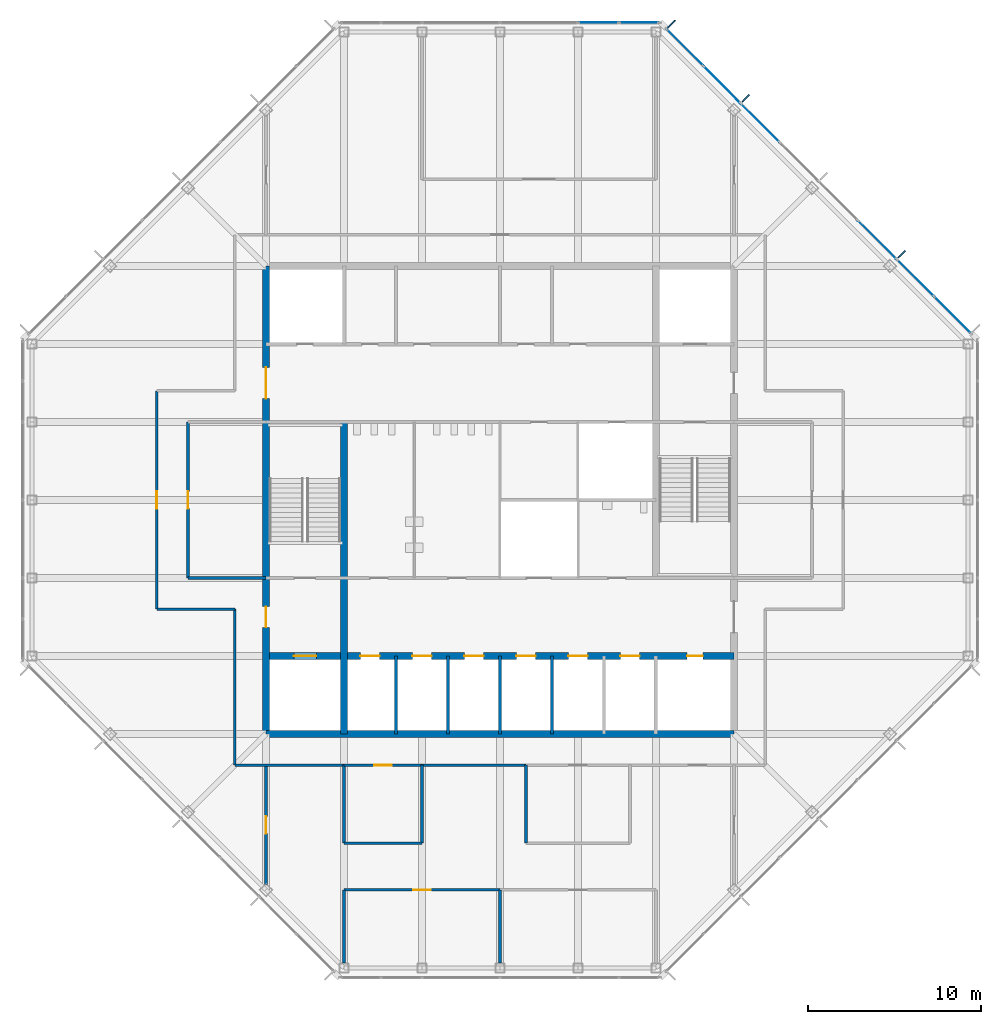
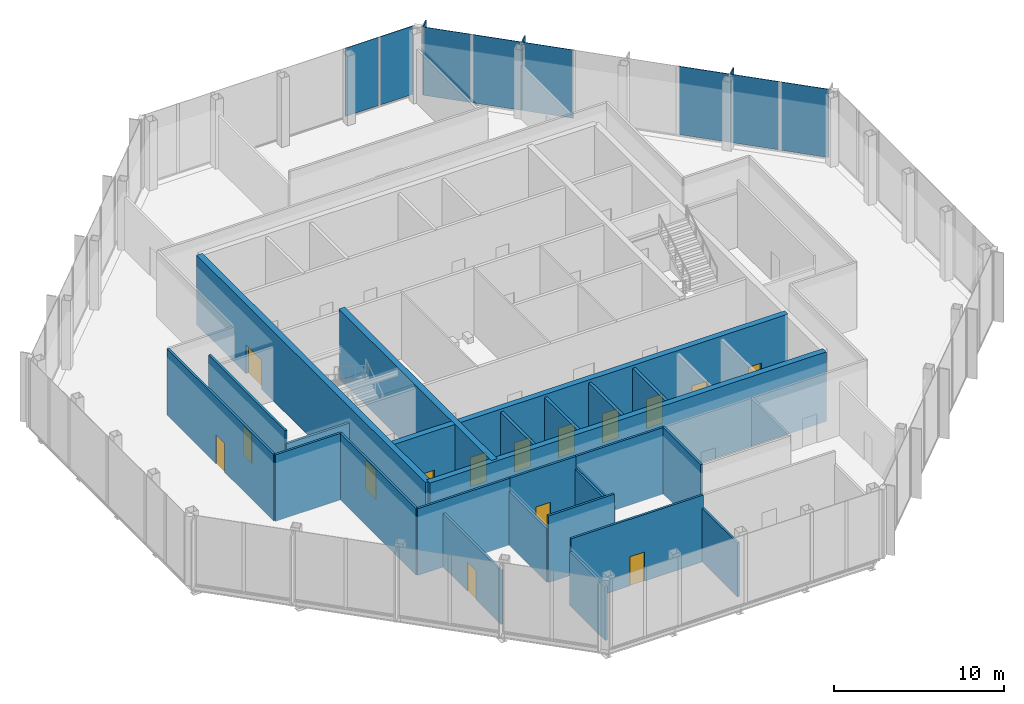
# One storey, part 7 of 11: 24 walls, 15 doors, 11 plates, 15 openings, 2 elements without a shape of their own.
"""IFC4 building model written with IfcOpenShell, lengths in metres."""

from ifc_helpers import new_model, si_unit, direction, frame, frame_2d, origin, origin_2d, place, context, subcontext, project, spatial, rectangle, extrude, material, layer, layer_set, type_object, element, fill, aggregate, save


model = new_model("IFC4")

# Units and contexts
model_context = context("Model", 3, precision=1e-05, world=origin(), true_north=direction((0.0, 1.0)))
body_context = subcontext(model_context, "Body", "Model", "MODEL_VIEW")
ifc_project = project(units=[si_unit("LENGTHUNIT", "METRE"), si_unit("AREAUNIT", "SQUARE_METRE"), si_unit("VOLUMEUNIT", "CUBIC_METRE"), si_unit("PLANEANGLEUNIT", "RADIAN"), si_unit("MASSUNIT", "GRAM", prefix="KILO")], contexts=[model_context])

# Site, building, storey
site_placement = place(None, origin())
site = spatial("IfcSite", under=ifc_project, at=site_placement, CompositionType="ELEMENT")
building_placement = place(site_placement, origin())
building = spatial("IfcBuilding", under=site, at=building_placement, Name="Corais Broadcast Tower", CompositionType="ELEMENT")
storey_placement = place(building_placement, frame((0.0, 0.0, 315.10009765625)))
storey = spatial("IfcBuildingStorey", under=building, at=storey_placement, Name="L74", CompositionType="ELEMENT", Elevation=315.10009765625)

# Curtain wall, plate
ifc_material_1 = material(Name="Aluminium and glass", Category="aluminium")
curtain_wall_type = type_object("IfcCurtainWallType", Name="Event hall curtain wall CW6", PredefinedType="NOTDEFINED", material=ifc_material_1)
curtain_wall_1_placement = place(storey_placement, origin())
curtain_wall_1 = element("IfcCurtainWall", 1, at=curtain_wall_1_placement, inside=storey, type_object=curtain_wall_type, Name="CW6 curtain wall L74 4", PredefinedType="NOTDEFINED")
ifc_material_2 = material(Name="Ceramic-fritted laminated glass", Category="glass")
ifc_layer_1 = layer(ifc_material_2, 0.033935546875)
ifc_layer_set_1 = layer_set([ifc_layer_1], Name="Ceramic-fritted laminated glass")
plate_type_1 = type_object("IfcPlateType", Name="Fritted glass panel CW6", PredefinedType="CURTAIN_PANEL", material=ifc_layer_set_1)
plate_1_placement = place(storey_placement, frame((32.681884765625, 54.550048828125, 0.079833984375), z_axis=(0.0, 0.0, 1.0), x_axis=(1.0, 0.0, 0.0)))
plate_1 = element("IfcPlate", 2, at=plate_1_placement, type_object=plate_type_1, Name="CW6 panel 5", PredefinedType="CURTAIN_PANEL", context=body_context, shape_type="SweptSolid", body=[
    extrude(rectangle(XDim=2.283935546875, YDim=0.033935546875, at=origin_2d()), origin(), (0.0, 0.0, 1.0), 4.919921875),
])

# Curtain wall, plates
curtain_wall_2_placement = place(storey_placement, origin())
curtain_wall_2 = element("IfcCurtainWall", 3, at=curtain_wall_2_placement, inside=storey, type_object=curtain_wall_type, Name="CW6 curtain wall L74 5", PredefinedType="NOTDEFINED")
plate_2_placement = place(storey_placement, frame((37.67236328125, 53.10546875, 0.079833984375), z_axis=(0.0, 0.0, 1.0), x_axis=(0.707106781187, -0.707106781187, 0.0)))
plate_2 = element("IfcPlate", 4, at=plate_2_placement, type_object=plate_type_1, Name="CW6 panel 1", PredefinedType="CURTAIN_PANEL", context=body_context, shape_type="SweptSolid", body=[
    extrude(rectangle(XDim=2.92578125, YDim=0.033935546875, at=origin_2d()), origin(), (0.0, 0.0, 1.0), 4.919921875),
])
plate_3_placement = place(storey_placement, frame((42.013916015625, 48.763916015625, 0.079833984375), z_axis=(0.0, 0.0, 1.0), x_axis=(0.707106781187, -0.707106781187, 0.0)))
plate_3 = element("IfcPlate", 5, at=plate_3_placement, type_object=plate_type_1, Name="CW6 panel 3", PredefinedType="CURTAIN_PANEL", context=body_context, shape_type="SweptSolid", body=[
    extrude(rectangle(XDim=3.10205078125, YDim=0.033935546875, at=origin_2d()), origin(), (0.0, 0.0, 1.0), 4.919921875),
])
plate_4_placement = place(storey_placement, frame((50.9658203125, 39.81201171875, 0.079833984375), z_axis=(0.0, 0.0, 1.0), x_axis=(0.707106781187, -0.707106781187, 0.0)))
plate_4 = element("IfcPlate", 6, at=plate_4_placement, type_object=plate_type_1, Name="CW6 panel 7", PredefinedType="CURTAIN_PANEL", context=body_context, shape_type="SweptSolid", body=[
    extrude(rectangle(XDim=2.9658203125, YDim=0.033935546875, at=origin_2d()), origin(), (0.0, 0.0, 1.0), 4.919921875),
])

# Plate
ifc_material_3 = material(Name="Clear laminated glass", Category="glass")
ifc_layer_2 = layer(ifc_material_3, 0.0380859375)
ifc_layer_set_2 = layer_set([ifc_layer_2], Name="Clear laminated glass")
plate_type_2 = type_object("IfcPlateType", Name="Operable glass panel CW6", PredefinedType="CURTAIN_PANEL", material=ifc_layer_set_2)
plate_5_placement = place(storey_placement, frame((35.02587890625, 54.550048828125, 0.079833984375), z_axis=(0.0, 0.0, 1.0), x_axis=(1.0, 0.0, 0.0)))
plate_5 = element("IfcPlate", 7, at=plate_5_placement, type_object=plate_type_2, Name="CW6 operable panel 6", PredefinedType="CURTAIN_PANEL", context=body_context, shape_type="SweptSolid", body=[
    extrude(rectangle(XDim=2.243896484375, YDim=0.0380859375, at=origin_2d()), origin(), (0.0, 0.0, 1.0), 4.919921875),
])

aggregate(curtain_wall_1, [plate_1, plate_5])

plate_6_placement = place(storey_placement, frame((39.81201171875, 50.9658203125, 0.079833984375), z_axis=(0.0, 0.0, 1.0), x_axis=(0.707106781187, -0.707106781187, 0.0)))
plate_6 = element("IfcPlate", 8, at=plate_6_placement, type_object=plate_type_2, Name="CW6 operable panel 2", PredefinedType="CURTAIN_PANEL", context=body_context, shape_type="SweptSolid", body=[
    extrude(rectangle(XDim=2.9658203125, YDim=0.0380859375, at=origin_2d()), origin(), (0.0, 0.0, 1.0), 4.919921875),
])

plate_7_placement = place(storey_placement, frame((48.763916015625, 42.013916015625, 0.079833984375), z_axis=(0.0, 0.0, 1.0), x_axis=(0.707106781187, -0.707106781187, 0.0)))
plate_7 = element("IfcPlate", 9, at=plate_7_placement, type_object=plate_type_2, Name="CW6 operable panel 6", PredefinedType="CURTAIN_PANEL", context=body_context, shape_type="SweptSolid", body=[
    extrude(rectangle(XDim=3.10205078125, YDim=0.0380859375, at=origin_2d()), origin(), (0.0, 0.0, 1.0), 4.919921875),
])

plate_8_placement = place(storey_placement, frame((53.10546875, 37.67236328125, 0.079833984375), z_axis=(0.0, 0.0, 1.0), x_axis=(0.707106781187, -0.707106781187, 0.0)))
plate_8 = element("IfcPlate", 10, at=plate_8_placement, type_object=plate_type_2, Name="CW6 operable panel 8", PredefinedType="CURTAIN_PANEL", context=body_context, shape_type="SweptSolid", body=[
    extrude(rectangle(XDim=2.92578125, YDim=0.0380859375, at=origin_2d()), origin(), (0.0, 0.0, 1.0), 4.919921875),
])

aggregate(curtain_wall_2, [plate_2, plate_6, plate_3, plate_7, plate_4, plate_8])

# Plates
ifc_material_4 = material(Name="Granite stone cladding", Category="masonry")
ifc_layer_3 = layer(ifc_material_4, 0.080078125)
ifc_layer_set_3 = layer_set([ifc_layer_3], Name="Granite stone cladding")
plate_type_3 = type_object("IfcPlateType", Name="Stone screen fin 80x600", PredefinedType="USERDEFINED", material=ifc_layer_set_3)
for number, where, z_axis, x_axis, name in (
    (11, (36.8974609375, 54.455810546875, 0.0), (0.0, 0.0, 1.0), (0.707106781187, -0.707106781187, 0.0), "SF1 stone screen fin L74"),
    (12, (41.1767578125, 50.1767578125, 0.0), (0.0, 0.0, 1.0), (0.707106781187, -0.707106781187, 0.0), "SF1 stone screen fin L74"),
    (13, (50.1767578125, 41.1767578125, 0.0), (0.0, 0.0, 1.0), (0.707106781187, -0.707106781187, 0.0), "SF1 stone screen fin L74"),
):
    element("IfcPlate", number, at=place(storey_placement, frame(where, z_axis=z_axis, x_axis=x_axis)), inside=storey, type_object=plate_type_3, Name=name, ObjectType="STONE SCREEN FIN", PredefinedType="USERDEFINED", context=body_context, shape_type="SweptSolid", body=[
        extrude(rectangle(XDim=0.080078125, YDim=0.60009765625, at=origin_2d()), origin(), (0.0, 0.0, 1.0), 5.0),
    ])

# Wall
ifc_material_5 = material(Name="Concrete C50/60", Category="concrete")
ifc_layer_4 = layer(ifc_material_5, 0.39990234375)
ifc_layer_set_4 = layer_set([ifc_layer_4], Name="Concrete C50/60")
wall_type_1 = type_object("IfcWallType", Name="Core wall 400", PredefinedType="SHEAR", material=ifc_layer_set_4)
wall_1_placement = place(storey_placement, frame((13.5, 13.5, 0.0), z_axis=(0.0, 0.0, 1.0), x_axis=(1.0, 0.0, 0.0)))
element("IfcWall", 14, at=wall_1_placement, inside=storey, type_object=wall_type_1, Name="CR400 core wall S L74", PredefinedType="SHEAR", context=body_context, shape_type="SweptSolid", body=[
    extrude(rectangle(XDim=27.0, YDim=0.39990234375, at=frame_2d((13.5, 0.0))), origin(), (0.0, 0.0, 1.0), 5.0),
])

# Wall, openings, doors
wall_2_placement = place(storey_placement, frame((13.5, 40.5, 0.0), z_axis=(0.0, 0.0, 1.0), x_axis=(0.0, -1.0, 0.0)))
wall_2 = element("IfcWall", 15, at=wall_2_placement, inside=storey, type_object=wall_type_1, Name="CR400 core wall W L74", PredefinedType="SHEAR", context=body_context, shape_type="SweptSolid", body=[
    extrude(rectangle(XDim=27.0, YDim=0.39990234375, at=frame_2d((13.5, 0.0))), origin(), (0.0, 0.0, 1.0), 5.0),
])
opening_1_placement = place(wall_2_placement, frame((19.64990234375, 0.0, 0.0)))
opening_1 = element("IfcOpeningElement", 16, at=opening_1_placement, cuts=wall_2, Name="Opening FD1", PredefinedType="OPENING", context=body_context, shape_type="SweptSolid", body=[
    extrude(rectangle(XDim=1.199951171875, YDim=2.10009765625, at=frame_2d((0.60009765625, 1.050048828125))), frame((0.0, 0.2099609375, 0.0), z_axis=(0.0, -1.0, 0.0), x_axis=(1.0, 0.0, 0.0)), (0.0, 0.0, 1.0), 0.419921875),
])
opening_2_placement = place(wall_2_placement, frame((5.85009765625, 0.0, 0.0)))
opening_2 = element("IfcOpeningElement", 17, at=opening_2_placement, cuts=wall_2, Name="Opening FD2", PredefinedType="OPENING", context=body_context, shape_type="SweptSolid", body=[
    extrude(rectangle(XDim=1.800048828125, YDim=2.10009765625, at=frame_2d((0.89990234375, 1.050048828125))), frame((0.0, 0.2099609375, 0.0), z_axis=(0.0, -1.0, 0.0), x_axis=(1.0, 0.0, 0.0)), (0.0, 0.0, 1.0), 0.419921875),
])
ifc_material_6 = material(Name="Steel fire door", Category="steel")
door_type_1 = type_object("IfcDoorType", Name="Fire door 1200x2100", OperationType="SINGLE_SWING_LEFT", PredefinedType="DOOR", material=ifc_material_6)
door_1_placement = place(opening_1_placement, origin())
door_1 = element("IfcDoor", 18, at=door_1_placement, inside=storey, type_object=door_type_1, Name="FD1 fire lobby A door L74", OperationType="SINGLE_SWING_RIGHT", OverallHeight=2.10009765625, OverallWidth=1.199951171875, PredefinedType="DOOR", context=body_context, shape_type="SweptSolid", body=[
    extrude(rectangle(XDim=1.199951171875, YDim=2.10009765625, at=frame_2d((0.60009765625, 1.050048828125))), frame((0.0, 0.02490234375, 0.0), z_axis=(0.0, -1.0, 0.0), x_axis=(1.0, 0.0, 0.0)), (0.0, 0.0, 1.0), 0.050048828125),
])
fill(opening_1, door_1)
ifc_material_7 = material(Name="Steel fire door", Category="steel")
door_type_2 = type_object("IfcDoorType", Name="Fire door pair 1800x2100", OperationType="DOUBLE_DOOR_SINGLE_SWING", PredefinedType="DOOR", material=ifc_material_7)
door_2_placement = place(opening_2_placement, origin())
door_2 = element("IfcDoor", 19, at=door_2_placement, inside=storey, type_object=door_type_2, Name="FD2 lift lobby door L74", OperationType="SINGLE_SWING_LEFT", OverallHeight=2.10009765625, OverallWidth=1.800048828125, PredefinedType="DOOR", context=body_context, shape_type="SweptSolid", body=[
    extrude(rectangle(XDim=1.800048828125, YDim=2.10009765625, at=frame_2d((0.89990234375, 1.050048828125))), frame((0.0, 0.02490234375, 0.0), z_axis=(0.0, -1.0, 0.0), x_axis=(1.0, 0.0, 0.0)), (0.0, 0.0, 1.0), 0.050048828125),
])
fill(opening_2, door_2)

# Wall
wall_3_placement = place(storey_placement, frame((18.0, 13.5, 0.0), z_axis=(0.0, 0.0, 1.0), x_axis=(0.0, 1.0, 0.0)))
element("IfcWall", 20, at=wall_3_placement, inside=storey, type_object=wall_type_1, Name="CR400 core wall X18A L74", PredefinedType="SHEAR", context=body_context, shape_type="SweptSolid", body=[
    extrude(rectangle(XDim=18.0, YDim=0.39990234375, at=frame_2d((9.0, 0.0))), origin(), (0.0, 0.0, 1.0), 5.0),
])

# Wall, openings, doors
wall_4_placement = place(storey_placement, frame((13.5, 18.0, 0.0), z_axis=(0.0, 0.0, 1.0), x_axis=(1.0, 0.0, 0.0)))
wall_4 = element("IfcWall", 21, at=wall_4_placement, inside=storey, type_object=wall_type_1, Name="CR400 core wall Y18 L74", PredefinedType="SHEAR", context=body_context, shape_type="SweptSolid", body=[
    extrude(rectangle(XDim=27.0, YDim=0.39990234375, at=frame_2d((13.5, 0.0))), origin(), (0.0, 0.0, 1.0), 5.0),
])
opening_3_placement = place(wall_4_placement, frame((24.300048828125, 0.0, 0.0)))
opening_3 = element("IfcOpeningElement", 22, at=opening_3_placement, cuts=wall_4, Name="Opening RD1", PredefinedType="OPENING", context=body_context, shape_type="SweptSolid", body=[
    extrude(rectangle(XDim=0.89990234375, YDim=2.10009765625, at=frame_2d((0.449951171875, 1.050048828125))), frame((0.0, 0.2099609375, 0.0), z_axis=(0.0, -1.0, 0.0), x_axis=(1.0, 0.0, 0.0)), (0.0, 0.0, 1.0), 0.419921875),
])
opening_4_placement = place(wall_4_placement, frame((5.449951171875, 0.0, 0.0)))
opening_4 = element("IfcOpeningElement", 23, at=opening_4_placement, cuts=wall_4, Name="Opening LD1", PredefinedType="OPENING", context=body_context, shape_type="SweptSolid", body=[
    extrude(rectangle(XDim=1.10009765625, YDim=2.10009765625, at=frame_2d((0.550048828125, 1.050048828125))), frame((0.0, 0.2099609375, 0.0), z_axis=(0.0, -1.0, 0.0), x_axis=(1.0, 0.0, 0.0)), (0.0, 0.0, 1.0), 0.419921875),
])
opening_5_placement = place(wall_4_placement, frame((8.449951171875, 0.0, 0.0)))
opening_5 = element("IfcOpeningElement", 24, at=opening_5_placement, cuts=wall_4, Name="Opening LD1", PredefinedType="OPENING", context=body_context, shape_type="SweptSolid", body=[
    extrude(rectangle(XDim=1.10009765625, YDim=2.10009765625, at=frame_2d((0.550048828125, 1.050048828125))), frame((0.0, 0.2099609375, 0.0), z_axis=(0.0, -1.0, 0.0), x_axis=(1.0, 0.0, 0.0)), (0.0, 0.0, 1.0), 0.419921875),
])
opening_6_placement = place(wall_4_placement, frame((11.449951171875, 0.0, 0.0)))
opening_6 = element("IfcOpeningElement", 25, at=opening_6_placement, cuts=wall_4, Name="Opening LD1", PredefinedType="OPENING", context=body_context, shape_type="SweptSolid", body=[
    extrude(rectangle(XDim=1.10009765625, YDim=2.10009765625, at=frame_2d((0.550048828125, 1.050048828125))), frame((0.0, 0.2099609375, 0.0), z_axis=(0.0, -1.0, 0.0), x_axis=(1.0, 0.0, 0.0)), (0.0, 0.0, 1.0), 0.419921875),
])
opening_7_placement = place(wall_4_placement, frame((14.449951171875, 0.0, 0.0)))
opening_7 = element("IfcOpeningElement", 26, at=opening_7_placement, cuts=wall_4, Name="Opening LD1", PredefinedType="OPENING", context=body_context, shape_type="SweptSolid", body=[
    extrude(rectangle(XDim=1.10009765625, YDim=2.10009765625, at=frame_2d((0.550048828125, 1.050048828125))), frame((0.0, 0.2099609375, 0.0), z_axis=(0.0, -1.0, 0.0), x_axis=(1.0, 0.0, 0.0)), (0.0, 0.0, 1.0), 0.419921875),
])
opening_8_placement = place(wall_4_placement, frame((17.449951171875, 0.0, 0.0)))
opening_8 = element("IfcOpeningElement", 27, at=opening_8_placement, cuts=wall_4, Name="Opening LD1", PredefinedType="OPENING", context=body_context, shape_type="SweptSolid", body=[
    extrude(rectangle(XDim=1.10009765625, YDim=2.10009765625, at=frame_2d((0.550048828125, 1.050048828125))), frame((0.0, 0.2099609375, 0.0), z_axis=(0.0, -1.0, 0.0), x_axis=(1.0, 0.0, 0.0)), (0.0, 0.0, 1.0), 0.419921875),
])
opening_9_placement = place(wall_4_placement, frame((20.449951171875, 0.0, 0.0)))
opening_9 = element("IfcOpeningElement", 28, at=opening_9_placement, cuts=wall_4, Name="Opening LD1", PredefinedType="OPENING", context=body_context, shape_type="SweptSolid", body=[
    extrude(rectangle(XDim=1.10009765625, YDim=2.10009765625, at=frame_2d((0.550048828125, 1.050048828125))), frame((0.0, 0.2099609375, 0.0), z_axis=(0.0, -1.0, 0.0), x_axis=(1.0, 0.0, 0.0)), (0.0, 0.0, 1.0), 0.419921875),
])
opening_10_placement = place(wall_4_placement, frame((1.60009765625, 0.0, 0.0)))
opening_10 = element("IfcOpeningElement", 29, at=opening_10_placement, cuts=wall_4, Name="Opening LD2", PredefinedType="OPENING", context=body_context, shape_type="SweptSolid", body=[
    extrude(rectangle(XDim=1.300048828125, YDim=2.199951171875, at=frame_2d((0.64990234375, 1.10009765625))), frame((0.0, 0.2099609375, 0.0), z_axis=(0.0, -1.0, 0.0), x_axis=(1.0, 0.0, 0.0)), (0.0, 0.0, 1.0), 0.419921875),
])
ifc_material_8 = material(Name="Stainless steel lift door", Category="steel")
door_type_3 = type_object("IfcDoorType", Name="Lift landing door 1100x2100", OperationType="SLIDING_TO_LEFT", PredefinedType="DOOR", material=ifc_material_8)
door_3_placement = place(opening_4_placement, origin())
door_3 = element("IfcDoor", 30, at=door_3_placement, inside=storey, type_object=door_type_3, Name="LD1 PH1 landing door L74", OperationType="SLIDING_TO_LEFT", OverallHeight=2.10009765625, OverallWidth=1.10009765625, PredefinedType="DOOR", context=body_context, shape_type="SweptSolid", body=[
    extrude(rectangle(XDim=1.10009765625, YDim=2.10009765625, at=frame_2d((0.550048828125, 1.050048828125))), frame((0.0, 0.02490234375, 0.0), z_axis=(0.0, -1.0, 0.0), x_axis=(1.0, 0.0, 0.0)), (0.0, 0.0, 1.0), 0.050048828125),
])
fill(opening_4, door_3)
door_4_placement = place(opening_5_placement, origin())
door_4 = element("IfcDoor", 31, at=door_4_placement, inside=storey, type_object=door_type_3, Name="LD1 PH2 landing door L74", OperationType="SLIDING_TO_LEFT", OverallHeight=2.10009765625, OverallWidth=1.10009765625, PredefinedType="DOOR", context=body_context, shape_type="SweptSolid", body=[
    extrude(rectangle(XDim=1.10009765625, YDim=2.10009765625, at=frame_2d((0.550048828125, 1.050048828125))), frame((0.0, 0.02490234375, 0.0), z_axis=(0.0, -1.0, 0.0), x_axis=(1.0, 0.0, 0.0)), (0.0, 0.0, 1.0), 0.050048828125),
])
fill(opening_5, door_4)
door_5_placement = place(opening_6_placement, origin())
door_5 = element("IfcDoor", 32, at=door_5_placement, inside=storey, type_object=door_type_3, Name="LD1 PH3 landing door L74", OperationType="SLIDING_TO_LEFT", OverallHeight=2.10009765625, OverallWidth=1.10009765625, PredefinedType="DOOR", context=body_context, shape_type="SweptSolid", body=[
    extrude(rectangle(XDim=1.10009765625, YDim=2.10009765625, at=frame_2d((0.550048828125, 1.050048828125))), frame((0.0, 0.02490234375, 0.0), z_axis=(0.0, -1.0, 0.0), x_axis=(1.0, 0.0, 0.0)), (0.0, 0.0, 1.0), 0.050048828125),
])
fill(opening_6, door_5)
door_6_placement = place(opening_7_placement, origin())
door_6 = element("IfcDoor", 33, at=door_6_placement, inside=storey, type_object=door_type_3, Name="LD1 PH4 landing door L74", OperationType="SLIDING_TO_LEFT", OverallHeight=2.10009765625, OverallWidth=1.10009765625, PredefinedType="DOOR", context=body_context, shape_type="SweptSolid", body=[
    extrude(rectangle(XDim=1.10009765625, YDim=2.10009765625, at=frame_2d((0.550048828125, 1.050048828125))), frame((0.0, 0.02490234375, 0.0), z_axis=(0.0, -1.0, 0.0), x_axis=(1.0, 0.0, 0.0)), (0.0, 0.0, 1.0), 0.050048828125),
])
fill(opening_7, door_6)
door_7_placement = place(opening_8_placement, origin())
door_7 = element("IfcDoor", 34, at=door_7_placement, inside=storey, type_object=door_type_3, Name="LD1 PH5 landing door L74", OperationType="SLIDING_TO_LEFT", OverallHeight=2.10009765625, OverallWidth=1.10009765625, PredefinedType="DOOR", context=body_context, shape_type="SweptSolid", body=[
    extrude(rectangle(XDim=1.10009765625, YDim=2.10009765625, at=frame_2d((0.550048828125, 1.050048828125))), frame((0.0, 0.02490234375, 0.0), z_axis=(0.0, -1.0, 0.0), x_axis=(1.0, 0.0, 0.0)), (0.0, 0.0, 1.0), 0.050048828125),
])
fill(opening_8, door_7)
door_8_placement = place(opening_9_placement, origin())
door_8 = element("IfcDoor", 35, at=door_8_placement, inside=storey, type_object=door_type_3, Name="LD1 PH6 landing door L74", OperationType="SLIDING_TO_LEFT", OverallHeight=2.10009765625, OverallWidth=1.10009765625, PredefinedType="DOOR", context=body_context, shape_type="SweptSolid", body=[
    extrude(rectangle(XDim=1.10009765625, YDim=2.10009765625, at=frame_2d((0.550048828125, 1.050048828125))), frame((0.0, 0.02490234375, 0.0), z_axis=(0.0, -1.0, 0.0), x_axis=(1.0, 0.0, 0.0)), (0.0, 0.0, 1.0), 0.050048828125),
])
fill(opening_9, door_8)
ifc_material_9 = material(Name="Stainless steel lift door", Category="steel")
door_type_4 = type_object("IfcDoorType", Name="Lift landing door 1300x2200", OperationType="SLIDING_TO_LEFT", PredefinedType="DOOR", material=ifc_material_9)
door_9_placement = place(opening_10_placement, origin())
door_9 = element("IfcDoor", 36, at=door_9_placement, inside=storey, type_object=door_type_4, Name="LD2 FL1 landing door L74", OperationType="SLIDING_TO_LEFT", OverallHeight=2.199951171875, OverallWidth=1.300048828125, PredefinedType="DOOR", context=body_context, shape_type="SweptSolid", body=[
    extrude(rectangle(XDim=1.300048828125, YDim=2.199951171875, at=frame_2d((0.64990234375, 1.10009765625))), frame((0.0, 0.02490234375, 0.0), z_axis=(0.0, -1.0, 0.0), x_axis=(1.0, 0.0, 0.0)), (0.0, 0.0, 1.0), 0.050048828125),
])
fill(opening_10, door_9)
ifc_material_10 = material(Name="Steel fire door", Category="steel")
door_type_5 = type_object("IfcDoorType", Name="Riser door 900x2100", OperationType="SINGLE_SWING_LEFT", PredefinedType="DOOR", material=ifc_material_10)
door_10_placement = place(opening_3_placement, origin())
door_10 = element("IfcDoor", 37, at=door_10_placement, inside=storey, type_object=door_type_5, Name="RD1 riser door L74", OperationType="SINGLE_SWING_RIGHT", OverallHeight=2.10009765625, OverallWidth=0.89990234375, PredefinedType="DOOR", context=body_context, shape_type="SweptSolid", body=[
    extrude(rectangle(XDim=0.89990234375, YDim=2.10009765625, at=frame_2d((0.449951171875, 1.050048828125))), frame((0.0, 0.02490234375, 0.0), z_axis=(0.0, -1.0, 0.0), x_axis=(1.0, 0.0, 0.0)), (0.0, 0.0, 1.0), 0.050048828125),
])
fill(opening_3, door_10)

# Wall, opening, door
ifc_material_11 = material(Name="Gypsum board on steel studs", Category="steel")
ifc_layer_5 = layer(ifc_material_11, 0.14990234375)
ifc_layer_set_5 = layer_set([ifc_layer_5], Name="Gypsum board on steel studs")
wall_type_2 = type_object("IfcWallType", Name="Partition 150", PredefinedType="PARTITIONING", material=ifc_layer_set_5)
wall_5_placement = place(storey_placement, frame((7.199951171875, 33.300048828125, 0.0), z_axis=(0.0, 0.0, 1.0), x_axis=(0.0, -1.0, 0.0)))
wall_5 = element("IfcWall", 38, at=wall_5_placement, inside=storey, type_object=wall_type_2, Name="IW3 corridor wall L74", PredefinedType="PARTITIONING", context=body_context, shape_type="SweptSolid", body=[
    extrude(rectangle(XDim=12.60009765625, YDim=0.14990234375, at=frame_2d((6.300048828125, 0.0))), origin(), (0.0, 0.0, 1.0), 4.7998046875),
])
opening_11_placement = place(wall_5_placement, frame((5.800048828125, 0.0, 0.0)))
opening_11 = element("IfcOpeningElement", 39, at=opening_11_placement, cuts=wall_5, Name="Opening D1", PredefinedType="OPENING", context=body_context, shape_type="SweptSolid", body=[
    extrude(rectangle(XDim=1.0, YDim=2.10009765625, at=frame_2d((0.5, 1.050048828125))), frame((0.0, 0.0849609375, 0.0), z_axis=(0.0, -1.0, 0.0), x_axis=(1.0, 0.0, 0.0)), (0.0, 0.0, 1.0), 0.169921875),
])
ifc_material_12 = material(Name="Timber door", Category="wood")
door_type_6 = type_object("IfcDoorType", Name="Single door 1000x2100", OperationType="SINGLE_SWING_LEFT", PredefinedType="DOOR", material=ifc_material_12)
door_11_placement = place(opening_11_placement, origin())
door_11 = element("IfcDoor", 40, at=door_11_placement, inside=storey, type_object=door_type_6, Name="D1 workplace door L74", OperationType="SINGLE_SWING_LEFT", OverallHeight=2.10009765625, OverallWidth=1.0, PredefinedType="DOOR", context=body_context, shape_type="SweptSolid", body=[
    extrude(rectangle(XDim=1.0, YDim=2.10009765625, at=frame_2d((0.5, 1.050048828125))), frame((0.0, 0.02490234375, 0.0), z_axis=(0.0, -1.0, 0.0), x_axis=(1.0, 0.0, 0.0)), (0.0, 0.0, 1.0), 0.050048828125),
])
fill(opening_11, door_11)

# Walls
wall_6_placement = place(storey_placement, frame((11.699951171875, 20.699951171875, 0.0), z_axis=(0.0, 0.0, 1.0), x_axis=(0.0, -1.0, 0.0)))
element("IfcWall", 41, at=wall_6_placement, inside=storey, type_object=wall_type_2, Name="IW3 corridor wall L74", PredefinedType="PARTITIONING", context=body_context, shape_type="SweptSolid", body=[
    extrude(rectangle(XDim=9.0, YDim=0.14990234375, at=frame_2d((4.5, 0.0))), origin(), (0.0, 0.0, 1.0), 4.7998046875),
])
wall_7_placement = place(storey_placement, frame((11.699951171875, 11.699951171875, 0.0), z_axis=(0.0, 0.0, 1.0), x_axis=(1.0, 0.0, 0.0)))
element("IfcWall", 42, at=wall_7_placement, inside=storey, type_object=wall_type_2, Name="IW3 corridor wall L74", PredefinedType="PARTITIONING", context=body_context, shape_type="SweptSolid", body=[
    extrude(rectangle(XDim=6.300048828125, YDim=0.14990234375, at=frame_2d((3.14990234375, 0.0))), origin(), (0.0, 0.0, 1.0), 4.7998046875),
])
wall_8_placement = place(storey_placement, frame((22.5, 11.699951171875, 0.0), z_axis=(0.0, 0.0, 1.0), x_axis=(1.0, 0.0, 0.0)))
element("IfcWall", 43, at=wall_8_placement, inside=storey, type_object=wall_type_2, Name="IW3 corridor wall L74", PredefinedType="PARTITIONING", context=body_context, shape_type="SweptSolid", body=[
    extrude(rectangle(XDim=6.0, YDim=0.14990234375, at=frame_2d((3.0, 0.0))), origin(), (0.0, 0.0, 1.0), 4.7998046875),
])
for number, where, z_axis, x_axis, name in (
    (44, (7.199951171875, 20.699951171875, 0.0), (0.0, 0.0, 1.0), (1.0, 0.0, 0.0), "IW3 corridor wall L74"),
    (45, (18.0, 7.199951171875, 0.0), (0.0, 0.0, 1.0), (1.0, 0.0, 0.0), "IW3 partition L74"),
):
    element("IfcWall", number, at=place(storey_placement, frame(where, z_axis=z_axis, x_axis=x_axis)), inside=storey, type_object=wall_type_2, Name=name, PredefinedType="PARTITIONING", context=body_context, shape_type="SweptSolid", body=[
        extrude(rectangle(XDim=4.5, YDim=0.14990234375, at=frame_2d((2.25, 0.0))), origin(), (0.0, 0.0, 1.0), 4.7998046875),
    ])
wall_9_placement = place(storey_placement, frame((22.5, 7.199951171875, 0.0), z_axis=(0.0, 0.0, 1.0), x_axis=(0.0, 1.0, 0.0)))
element("IfcWall", 46, at=wall_9_placement, inside=storey, type_object=wall_type_2, Name="IW3 partition L74", PredefinedType="PARTITIONING", context=body_context, shape_type="SweptSolid", body=[
    extrude(rectangle(XDim=4.5, YDim=0.14990234375, at=frame_2d((2.25, 0.0))), origin(), (0.0, 0.0, 1.0), 3.867919921875),
])

# Wall, opening, door
wall_10_placement = place(storey_placement, frame((22.5, 11.699951171875, 0.0), z_axis=(0.0, 0.0, 1.0), x_axis=(-1.0, 0.0, 0.0)))
wall_10 = element("IfcWall", 47, at=wall_10_placement, inside=storey, type_object=wall_type_2, Name="IW3 partition L74", PredefinedType="PARTITIONING", context=body_context, shape_type="SweptSolid", body=[
    extrude(rectangle(XDim=4.5, YDim=0.14990234375, at=frame_2d((2.25, 0.0))), origin(), (0.0, 0.0, 1.0), 4.7998046875),
])
opening_12_placement = place(wall_10_placement, frame((1.75, 0.0, 0.0)))
opening_12 = element("IfcOpeningElement", 48, at=opening_12_placement, cuts=wall_10, Name="Opening D1", PredefinedType="OPENING", context=body_context, shape_type="SweptSolid", body=[
    extrude(rectangle(XDim=1.0, YDim=2.10009765625, at=frame_2d((0.5, 1.050048828125))), frame((0.0, 0.0849609375, 0.0), z_axis=(0.0, -1.0, 0.0), x_axis=(1.0, 0.0, 0.0)), (0.0, 0.0, 1.0), 0.169921875),
])
door_12_placement = place(opening_12_placement, origin())
door_12 = element("IfcDoor", 49, at=door_12_placement, inside=storey, type_object=door_type_6, Name="D1 Event foyer door", OperationType="SINGLE_SWING_LEFT", OverallHeight=2.10009765625, OverallWidth=1.0, PredefinedType="DOOR", context=body_context, shape_type="SweptSolid", body=[
    extrude(rectangle(XDim=1.0, YDim=2.10009765625, at=frame_2d((0.5, 1.050048828125))), frame((0.0, 0.02490234375, 0.0), z_axis=(0.0, -1.0, 0.0), x_axis=(1.0, 0.0, 0.0)), (0.0, 0.0, 1.0), 0.050048828125),
])
fill(opening_12, door_12)

# Walls
wall_11_placement = place(storey_placement, frame((18.0, 11.699951171875, 0.0), z_axis=(0.0, 0.0, 1.0), x_axis=(0.0, -1.0, 0.0)))
element("IfcWall", 50, at=wall_11_placement, inside=storey, type_object=wall_type_2, Name="IW3 partition L74", PredefinedType="PARTITIONING", context=body_context, shape_type="SweptSolid", body=[
    extrude(rectangle(XDim=4.5, YDim=0.14990234375, at=frame_2d((2.25, 0.0))), origin(), (0.0, 0.0, 1.0), 3.867919921875),
])
wall_12_placement = place(storey_placement, frame((28.5, 11.699951171875, 0.0), z_axis=(0.0, 0.0, 1.0), x_axis=(0.0, -1.0, 0.0)))
element("IfcWall", 51, at=wall_12_placement, inside=storey, type_object=wall_type_2, Name="IW3 partition L74", PredefinedType="PARTITIONING", context=body_context, shape_type="SweptSolid", body=[
    extrude(rectangle(XDim=4.5, YDim=0.14990234375, at=frame_2d((2.25, 0.0))), origin(), (0.0, 0.0, 1.0), 4.7998046875),
])
wall_13_placement = place(storey_placement, frame((27.0, 0.284912109375, 0.0), z_axis=(0.0, 0.0, 1.0), x_axis=(0.0, 1.0, 0.0)))
element("IfcWall", 52, at=wall_13_placement, inside=storey, type_object=wall_type_2, Name="IW3 partition L74", PredefinedType="PARTITIONING", context=body_context, shape_type="SweptSolid", body=[
    extrude(rectangle(XDim=4.215087890625, YDim=0.14990234375, at=frame_2d((2.107421875, 0.0))), origin(), (0.0, 0.0, 1.0), 3.867919921875),
])

# Wall, opening, door
wall_14_placement = place(storey_placement, frame((27.0, 4.5, 0.0), z_axis=(0.0, 0.0, 1.0), x_axis=(-1.0, 0.0, 0.0)))
wall_14 = element("IfcWall", 53, at=wall_14_placement, inside=storey, type_object=wall_type_2, Name="IW3 partition L74", PredefinedType="PARTITIONING", context=body_context, shape_type="SweptSolid", body=[
    extrude(rectangle(XDim=9.0, YDim=0.14990234375, at=frame_2d((4.5, 0.0))), origin(), (0.0, 0.0, 1.0), 4.7998046875),
])
opening_13_placement = place(wall_14_placement, frame((4.0, 0.0, 0.0)))
opening_13 = element("IfcOpeningElement", 54, at=opening_13_placement, cuts=wall_14, Name="Opening D1", PredefinedType="OPENING", context=body_context, shape_type="SweptSolid", body=[
    extrude(rectangle(XDim=1.0, YDim=2.10009765625, at=frame_2d((0.5, 1.050048828125))), frame((0.0, 0.0849609375, 0.0), z_axis=(0.0, -1.0, 0.0), x_axis=(1.0, 0.0, 0.0)), (0.0, 0.0, 1.0), 0.169921875),
])
door_13_placement = place(opening_13_placement, origin())
door_13 = element("IfcDoor", 55, at=door_13_placement, inside=storey, type_object=door_type_6, Name="D1 Green room door", OperationType="SINGLE_SWING_LEFT", OverallHeight=2.10009765625, OverallWidth=1.0, PredefinedType="DOOR", context=body_context, shape_type="SweptSolid", body=[
    extrude(rectangle(XDim=1.0, YDim=2.10009765625, at=frame_2d((0.5, 1.050048828125))), frame((0.0, 0.02490234375, 0.0), z_axis=(0.0, -1.0, 0.0), x_axis=(1.0, 0.0, 0.0)), (0.0, 0.0, 1.0), 0.050048828125),
])
fill(opening_13, door_13)

# Walls
wall_15_placement = place(storey_placement, frame((18.0, 4.5, 0.0), z_axis=(0.0, 0.0, 1.0), x_axis=(0.0, -1.0, 0.0)))
element("IfcWall", 56, at=wall_15_placement, inside=storey, type_object=wall_type_2, Name="IW3 partition L74", PredefinedType="PARTITIONING", context=body_context, shape_type="SweptSolid", body=[
    extrude(rectangle(XDim=4.215087890625, YDim=0.14990234375, at=frame_2d((2.107421875, 0.0))), origin(), (0.0, 0.0, 1.0), 3.867919921875),
])
wall_16_placement = place(storey_placement, frame((9.0, 22.5, 0.0), z_axis=(0.0, 0.0, 1.0), x_axis=(1.0, 0.0, 0.0)))
element("IfcWall", 57, at=wall_16_placement, inside=storey, type_object=wall_type_2, Name="IW3 partition L74", PredefinedType="PARTITIONING", context=body_context, shape_type="SweptSolid", body=[
    extrude(rectangle(XDim=4.5, YDim=0.14990234375, at=frame_2d((2.25, 0.0))), origin(), (0.0, 0.0, 1.0), 3.867919921875),
])

# Wall, opening, door
wall_17_placement = place(storey_placement, frame((9.0, 31.5, 0.0), z_axis=(0.0, 0.0, 1.0), x_axis=(0.0, -1.0, 0.0)))
wall_17 = element("IfcWall", 58, at=wall_17_placement, inside=storey, type_object=wall_type_2, Name="IW3 partition L74", PredefinedType="PARTITIONING", context=body_context, shape_type="SweptSolid", body=[
    extrude(rectangle(XDim=9.0, YDim=0.14990234375, at=frame_2d((4.5, 0.0))), origin(), (0.0, 0.0, 1.0), 4.7998046875),
])
opening_14_placement = place(wall_17_placement, frame((4.0, 0.0, 0.0)))
opening_14 = element("IfcOpeningElement", 59, at=opening_14_placement, cuts=wall_17, Name="Opening D1", PredefinedType="OPENING", context=body_context, shape_type="SweptSolid", body=[
    extrude(rectangle(XDim=1.0, YDim=2.10009765625, at=frame_2d((0.5, 1.050048828125))), frame((0.0, 0.0849609375, 0.0), z_axis=(0.0, -1.0, 0.0), x_axis=(1.0, 0.0, 0.0)), (0.0, 0.0, 1.0), 0.169921875),
])
door_14_placement = place(opening_14_placement, origin())
door_14 = element("IfcDoor", 60, at=door_14_placement, inside=storey, type_object=door_type_6, Name="D1 Cloakroom door", OperationType="SINGLE_SWING_LEFT", OverallHeight=2.10009765625, OverallWidth=1.0, PredefinedType="DOOR", context=body_context, shape_type="SweptSolid", body=[
    extrude(rectangle(XDim=1.0, YDim=2.10009765625, at=frame_2d((0.5, 1.050048828125))), frame((0.0, 0.02490234375, 0.0), z_axis=(0.0, -1.0, 0.0), x_axis=(1.0, 0.0, 0.0)), (0.0, 0.0, 1.0), 0.050048828125),
])
fill(opening_14, door_14)

wall_18_placement = place(storey_placement, frame((13.5, 4.794921875, 0.0), z_axis=(0.0, 0.0, 1.0), x_axis=(0.0, 1.0, 0.0)))
wall_18 = element("IfcWall", 61, at=wall_18_placement, inside=storey, type_object=wall_type_2, Name="IW3 partition L74", PredefinedType="PARTITIONING", context=body_context, shape_type="SweptSolid", body=[
    extrude(rectangle(XDim=6.905029296875, YDim=0.14990234375, at=frame_2d((3.45263671875, 0.0))), origin(), (0.0, 0.0, 1.0), 3.867919921875),
])
opening_15_placement = place(wall_18_placement, frame((2.952392578125, 0.0, 0.0)))
opening_15 = element("IfcOpeningElement", 62, at=opening_15_placement, cuts=wall_18, Name="Opening D1", PredefinedType="OPENING", context=body_context, shape_type="SweptSolid", body=[
    extrude(rectangle(XDim=1.0, YDim=2.10009765625, at=frame_2d((0.5, 1.050048828125))), frame((0.0, 0.0849609375, 0.0), z_axis=(0.0, -1.0, 0.0), x_axis=(1.0, 0.0, 0.0)), (0.0, 0.0, 1.0), 0.169921875),
])
door_15_placement = place(opening_15_placement, origin())
door_15 = element("IfcDoor", 63, at=door_15_placement, inside=storey, type_object=door_type_6, Name="D1 team room door L74", OperationType="SINGLE_SWING_LEFT", OverallHeight=2.10009765625, OverallWidth=1.0, PredefinedType="DOOR", context=body_context, shape_type="SweptSolid", body=[
    extrude(rectangle(XDim=1.0, YDim=2.10009765625, at=frame_2d((0.5, 1.050048828125))), frame((0.0, 0.02490234375, 0.0), z_axis=(0.0, -1.0, 0.0), x_axis=(1.0, 0.0, 0.0)), (0.0, 0.0, 1.0), 0.050048828125),
])
fill(opening_15, door_15)

# Walls
ifc_material_13 = material(Name="Concrete blockwork class A, grouted, two-hour", Category="masonry")
ifc_layer_6 = layer(ifc_material_13, 0.199951171875)
ifc_layer_set_6 = layer_set([ifc_layer_6], Name="Concrete blockwork class A, grouted, two-hour")
wall_type_3 = type_object("IfcWallType", Name="Shaft wall 200", PredefinedType="PARTITIONING", material=ifc_layer_set_6)
for number, where, z_axis, x_axis, name in (
    (64, (21.0, 13.5, 0.0), (0.0, 0.0, 1.0), (0.0, 1.0, 0.0), "IW1 shaft wall L74"),
    (65, (24.0, 13.5, 0.0), (0.0, 0.0, 1.0), (0.0, 1.0, 0.0), "IW1 shaft wall L74"),
    (66, (27.0, 13.5, 0.0), (0.0, 0.0, 1.0), (0.0, 1.0, 0.0), "IW1 shaft wall L74"),
    (67, (30.0, 13.5, 0.0), (0.0, 0.0, 1.0), (0.0, 1.0, 0.0), "IW1 shaft wall L74"),
):
    element("IfcWall", number, at=place(storey_placement, frame(where, z_axis=z_axis, x_axis=x_axis)), inside=storey, type_object=wall_type_3, Name=name, PredefinedType="PARTITIONING", context=body_context, shape_type="SweptSolid", body=[
        extrude(rectangle(XDim=4.5, YDim=0.199951171875, at=frame_2d((2.25, 0.0))), origin(), (0.0, 0.0, 1.0), 4.7998046875),
    ])

save(model, "model.ifc")
